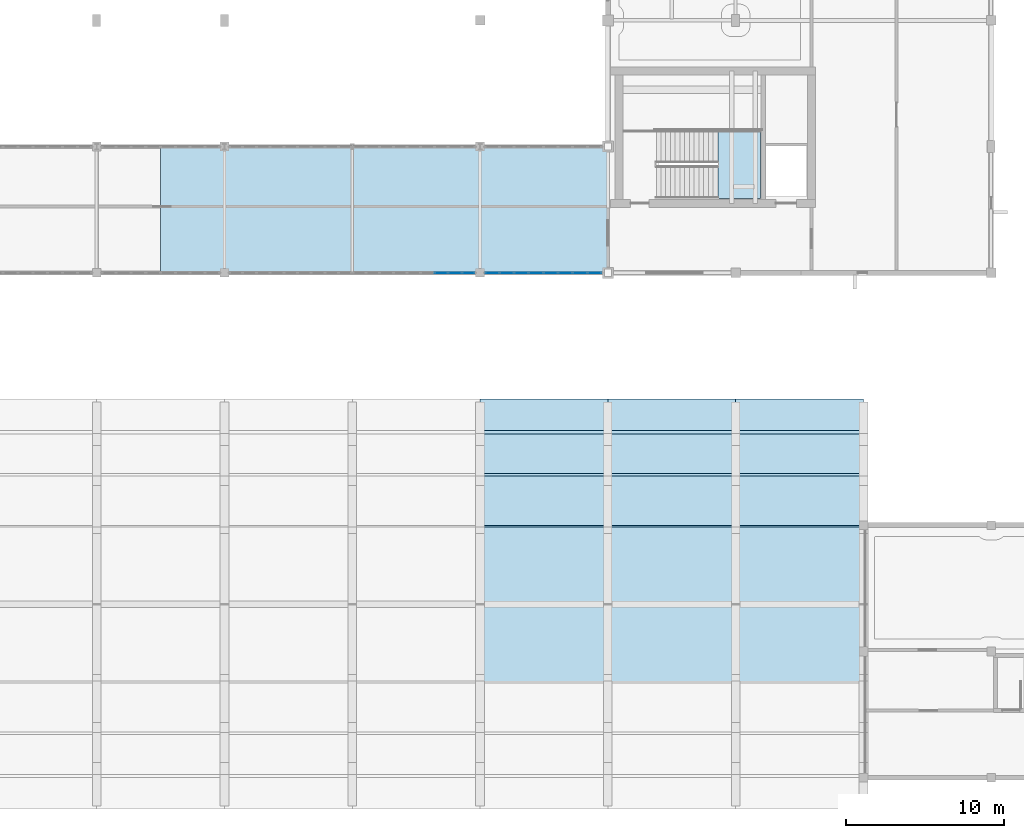
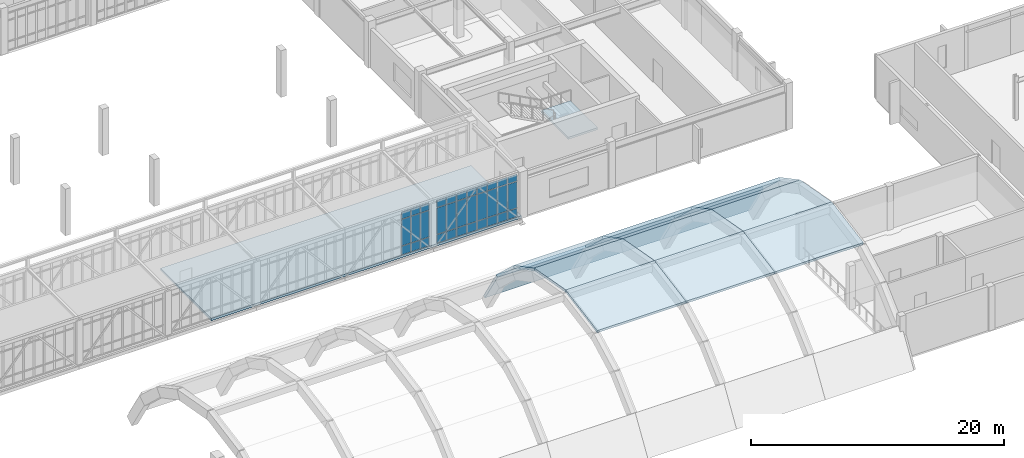
# One storey, part 38 of 67: 33 plates, 17 slabs, 3 elements without a shape of their own.
"""IFC4 building model written with IfcOpenShell, lengths in metres."""

from ifc_helpers import new_model, si_unit, direction, frame, origin, origin_2d, place, context, subcontext, project, spatial, polyline, rectangle, outline, extrude, material, layer, layer_set, type_object, element, aggregate, save


model = new_model("IFC4")

# Units and contexts
model_context = context("Model", 3, precision=1e-05, world=origin(), true_north=direction((0.0, 1.0)))
body_context = subcontext(model_context, "Body", "Model", "MODEL_VIEW")
ifc_project = project(units=[si_unit("LENGTHUNIT", "METRE"), si_unit("AREAUNIT", "SQUARE_METRE"), si_unit("VOLUMEUNIT", "CUBIC_METRE"), si_unit("PLANEANGLEUNIT", "RADIAN"), si_unit("MASSUNIT", "GRAM", prefix="KILO")], contexts=[model_context])

# Site, building, storey
site_placement = place(None, origin())
site = spatial("IfcSite", under=ifc_project, at=site_placement, CompositionType="ELEMENT")
building_placement = place(site_placement, origin())
building = spatial("IfcBuilding", under=site, at=building_placement, Name="Tarnveldt Square Police Headquarters", CompositionType="ELEMENT")
storey_placement = place(building_placement, frame((0.0, 0.0, 10.199951171875)))
storey = spatial("IfcBuildingStorey", under=building, at=storey_placement, Name="L02", CompositionType="ELEMENT", Elevation=10.199951171875)

# Curtain wall, plates
ifc_material_1 = material(Name="Triple-glazed low-e laminated vision glass", Category="glass")
curtain_wall_type_1 = type_object("IfcCurtainWallType", Name="CW-SB-781x424", PredefinedType="USERDEFINED", material=ifc_material_1)
curtain_wall_1_placement = place(storey_placement, origin())
curtain_wall_1 = element("IfcCurtainWall", 1, at=curtain_wall_1_placement, inside=storey, type_object=curtain_wall_type_1, Name="L02 Curtain Wall CW-L02-143", ObjectType="GLAZED CURTAIN WALL", PredefinedType="USERDEFINED")
ifc_layer_1 = layer(ifc_material_1, 0.028076171875)
ifc_layer_set_1 = layer_set([ifc_layer_1], Name="Triple-glazed low-e laminated vision glass")
plate_type = type_object("IfcPlateType", Name="CWP-VIS-28", PredefinedType="CURTAIN_PANEL", material=ifc_layer_set_1)
plate_1_placement = place(storey_placement, frame((94.740478515625, 56.0, 0.06494140625), z_axis=(0.0, 0.0, 1.0), x_axis=(1.0, 0.0, 0.0)))
plate_1 = element("IfcPlate", 2, at=plate_1_placement, type_object=plate_type, Name="CW-SB87 panel 7.1", PredefinedType="CURTAIN_PANEL", context=body_context, shape_type="SweptSolid", body=[
    extrude(rectangle(XDim=0.802734375, YDim=0.028076171875, at=origin_2d()), origin(), (0.0, 0.0, 1.0), 0.802490234375),
])
plate_2_placement = place(storey_placement, frame((94.740478515625, 56.0, 0.9326171875), z_axis=(0.0, 0.0, 1.0), x_axis=(1.0, 0.0, 0.0)))
plate_2 = element("IfcPlate", 3, at=plate_2_placement, type_object=plate_type, Name="CW-SB87 panel 7.2", PredefinedType="CURTAIN_PANEL", context=body_context, shape_type="SweptSolid", body=[
    extrude(rectangle(XDim=0.802734375, YDim=0.028076171875, at=origin_2d()), origin(), (0.0, 0.0, 1.0), 2.52490234375),
])
plate_3_placement = place(storey_placement, frame((94.740478515625, 56.0, 3.5224609375), z_axis=(0.0, 0.0, 1.0), x_axis=(1.0, 0.0, 0.0)))
plate_3 = element("IfcPlate", 4, at=plate_3_placement, type_object=plate_type, Name="CW-SB87 panel 7.3", PredefinedType="CURTAIN_PANEL", context=body_context, shape_type="SweptSolid", body=[
    extrude(rectangle(XDim=0.802734375, YDim=0.028076171875, at=origin_2d()), origin(), (0.0, 0.0, 1.0), 0.652587890625),
])
plate_4_placement = place(storey_placement, frame((95.6083984375, 56.0, 0.06494140625), z_axis=(0.0, 0.0, 1.0), x_axis=(1.0, 0.0, 0.0)))
plate_4 = element("IfcPlate", 5, at=plate_4_placement, type_object=plate_type, Name="CW-SB87 panel 8.1", PredefinedType="CURTAIN_PANEL", context=body_context, shape_type="SweptSolid", body=[
    extrude(rectangle(XDim=0.802734375, YDim=0.028076171875, at=origin_2d()), origin(), (0.0, 0.0, 1.0), 0.802490234375),
])
plate_5_placement = place(storey_placement, frame((95.6083984375, 56.0, 0.9326171875), z_axis=(0.0, 0.0, 1.0), x_axis=(1.0, 0.0, 0.0)))
plate_5 = element("IfcPlate", 6, at=plate_5_placement, type_object=plate_type, Name="CW-SB87 panel 8.2", PredefinedType="CURTAIN_PANEL", context=body_context, shape_type="SweptSolid", body=[
    extrude(rectangle(XDim=0.802734375, YDim=0.028076171875, at=origin_2d()), origin(), (0.0, 0.0, 1.0), 2.52490234375),
])
plate_6_placement = place(storey_placement, frame((95.6083984375, 56.0, 3.5224609375), z_axis=(0.0, 0.0, 1.0), x_axis=(1.0, 0.0, 0.0)))
plate_6 = element("IfcPlate", 7, at=plate_6_placement, type_object=plate_type, Name="CW-SB87 panel 8.3", PredefinedType="CURTAIN_PANEL", context=body_context, shape_type="SweptSolid", body=[
    extrude(rectangle(XDim=0.802734375, YDim=0.028076171875, at=origin_2d()), origin(), (0.0, 0.0, 1.0), 0.652587890625),
])
plate_7_placement = place(storey_placement, frame((96.4599609375, 56.0, 0.06494140625), z_axis=(0.0, 0.0, 1.0), x_axis=(1.0, 0.0, 0.0)))
plate_7 = element("IfcPlate", 8, at=plate_7_placement, type_object=plate_type, Name="CW-SB87 panel 9.1", PredefinedType="CURTAIN_PANEL", context=body_context, shape_type="SweptSolid", body=[
    extrude(rectangle(XDim=0.770263671875, YDim=0.028076171875, at=origin_2d()), origin(), (0.0, 0.0, 1.0), 0.802490234375),
])
plate_8_placement = place(storey_placement, frame((96.4599609375, 56.0, 0.9326171875), z_axis=(0.0, 0.0, 1.0), x_axis=(1.0, 0.0, 0.0)))
plate_8 = element("IfcPlate", 9, at=plate_8_placement, type_object=plate_type, Name="CW-SB87 panel 9.2", PredefinedType="CURTAIN_PANEL", context=body_context, shape_type="SweptSolid", body=[
    extrude(rectangle(XDim=0.770263671875, YDim=0.028076171875, at=origin_2d()), origin(), (0.0, 0.0, 1.0), 2.52490234375),
])
plate_9_placement = place(storey_placement, frame((96.4599609375, 56.0, 3.5224609375), z_axis=(0.0, 0.0, 1.0), x_axis=(1.0, 0.0, 0.0)))
plate_9 = element("IfcPlate", 10, at=plate_9_placement, type_object=plate_type, Name="CW-SB87 panel 9.3", PredefinedType="CURTAIN_PANEL", context=body_context, shape_type="SweptSolid", body=[
    extrude(rectangle(XDim=0.770263671875, YDim=0.028076171875, at=origin_2d()), origin(), (0.0, 0.0, 1.0), 0.652587890625),
])
aggregate(curtain_wall_1, [plate_1, plate_2, plate_3, plate_4, plate_5, plate_6, plate_7, plate_8, plate_9])

curtain_wall_type_2 = type_object("IfcCurtainWallType", Name="CW-SB-745x424", PredefinedType="USERDEFINED", material=ifc_material_1)
curtain_wall_2_placement = place(storey_placement, origin())
curtain_wall_2 = element("IfcCurtainWall", 11, at=curtain_wall_2_placement, inside=storey, type_object=curtain_wall_type_2, Name="L02 Curtain Wall CW-L02-144", ObjectType="GLAZED CURTAIN WALL", PredefinedType="USERDEFINED")
plate_10_placement = place(storey_placement, frame((97.9716796875, 56.0, 0.06494140625), z_axis=(0.0, 0.0, 1.0), x_axis=(1.0, 0.0, 0.0)))
plate_10 = element("IfcPlate", 12, at=plate_10_placement, type_object=plate_type, Name="CW-SB88 panel 1.1", PredefinedType="CURTAIN_PANEL", context=body_context, shape_type="SweptSolid", body=[
    extrude(rectangle(XDim=0.8330078125, YDim=0.028076171875, at=origin_2d()), origin(), (0.0, 0.0, 1.0), 0.802490234375),
])
plate_11_placement = place(storey_placement, frame((97.9716796875, 56.0, 0.9326171875), z_axis=(0.0, 0.0, 1.0), x_axis=(1.0, 0.0, 0.0)))
plate_11 = element("IfcPlate", 13, at=plate_11_placement, type_object=plate_type, Name="CW-SB88 panel 1.2", PredefinedType="CURTAIN_PANEL", context=body_context, shape_type="SweptSolid", body=[
    extrude(rectangle(XDim=0.8330078125, YDim=0.028076171875, at=origin_2d()), origin(), (0.0, 0.0, 1.0), 2.52490234375),
])
plate_12_placement = place(storey_placement, frame((97.9716796875, 56.0, 3.5224609375), z_axis=(0.0, 0.0, 1.0), x_axis=(1.0, 0.0, 0.0)))
plate_12 = element("IfcPlate", 14, at=plate_12_placement, type_object=plate_type, Name="CW-SB88 panel 1.3", PredefinedType="CURTAIN_PANEL", context=body_context, shape_type="SweptSolid", body=[
    extrude(rectangle(XDim=0.8330078125, YDim=0.028076171875, at=origin_2d()), origin(), (0.0, 0.0, 1.0), 0.652587890625),
])
plate_13_placement = place(storey_placement, frame((98.885986328125, 56.0, 0.06494140625), z_axis=(0.0, 0.0, 1.0), x_axis=(1.0, 0.0, 0.0)))
plate_13 = element("IfcPlate", 15, at=plate_13_placement, type_object=plate_type, Name="CW-SB88 panel 2.1", PredefinedType="CURTAIN_PANEL", context=body_context, shape_type="SweptSolid", body=[
    extrude(rectangle(XDim=0.86572265625, YDim=0.028076171875, at=origin_2d()), origin(), (0.0, 0.0, 1.0), 0.802490234375),
])
plate_14_placement = place(storey_placement, frame((98.885986328125, 56.0, 0.9326171875), z_axis=(0.0, 0.0, 1.0), x_axis=(1.0, 0.0, 0.0)))
plate_14 = element("IfcPlate", 16, at=plate_14_placement, type_object=plate_type, Name="CW-SB88 panel 2.2", PredefinedType="CURTAIN_PANEL", context=body_context, shape_type="SweptSolid", body=[
    extrude(rectangle(XDim=0.86572265625, YDim=0.028076171875, at=origin_2d()), origin(), (0.0, 0.0, 1.0), 2.52490234375),
])
plate_15_placement = place(storey_placement, frame((98.885986328125, 56.0, 3.5224609375), z_axis=(0.0, 0.0, 1.0), x_axis=(1.0, 0.0, 0.0)))
plate_15 = element("IfcPlate", 17, at=plate_15_placement, type_object=plate_type, Name="CW-SB88 panel 2.3", PredefinedType="CURTAIN_PANEL", context=body_context, shape_type="SweptSolid", body=[
    extrude(rectangle(XDim=0.86572265625, YDim=0.028076171875, at=origin_2d()), origin(), (0.0, 0.0, 1.0), 0.652587890625),
])
plate_16_placement = place(storey_placement, frame((99.816650390625, 56.0, 0.06494140625), z_axis=(0.0, 0.0, 1.0), x_axis=(1.0, 0.0, 0.0)))
plate_16 = element("IfcPlate", 18, at=plate_16_placement, type_object=plate_type, Name="CW-SB88 panel 3.1", PredefinedType="CURTAIN_PANEL", context=body_context, shape_type="SweptSolid", body=[
    extrude(rectangle(XDim=0.86572265625, YDim=0.028076171875, at=origin_2d()), origin(), (0.0, 0.0, 1.0), 0.802490234375),
])
plate_17_placement = place(storey_placement, frame((99.816650390625, 56.0, 0.9326171875), z_axis=(0.0, 0.0, 1.0), x_axis=(1.0, 0.0, 0.0)))
plate_17 = element("IfcPlate", 19, at=plate_17_placement, type_object=plate_type, Name="CW-SB88 panel 3.2", PredefinedType="CURTAIN_PANEL", context=body_context, shape_type="SweptSolid", body=[
    extrude(rectangle(XDim=0.86572265625, YDim=0.028076171875, at=origin_2d()), origin(), (0.0, 0.0, 1.0), 2.52490234375),
])
plate_18_placement = place(storey_placement, frame((99.816650390625, 56.0, 3.5224609375), z_axis=(0.0, 0.0, 1.0), x_axis=(1.0, 0.0, 0.0)))
plate_18 = element("IfcPlate", 20, at=plate_18_placement, type_object=plate_type, Name="CW-SB88 panel 3.3", PredefinedType="CURTAIN_PANEL", context=body_context, shape_type="SweptSolid", body=[
    extrude(rectangle(XDim=0.86572265625, YDim=0.028076171875, at=origin_2d()), origin(), (0.0, 0.0, 1.0), 0.652587890625),
])
plate_19_placement = place(storey_placement, frame((100.7470703125, 56.0, 0.06494140625), z_axis=(0.0, 0.0, 1.0), x_axis=(1.0, 0.0, 0.0)))
plate_19 = element("IfcPlate", 21, at=plate_19_placement, type_object=plate_type, Name="CW-SB88 panel 4.1", PredefinedType="CURTAIN_PANEL", context=body_context, shape_type="SweptSolid", body=[
    extrude(rectangle(XDim=0.86572265625, YDim=0.028076171875, at=origin_2d()), origin(), (0.0, 0.0, 1.0), 0.802490234375),
])
plate_20_placement = place(storey_placement, frame((100.7470703125, 56.0, 0.9326171875), z_axis=(0.0, 0.0, 1.0), x_axis=(1.0, 0.0, 0.0)))
plate_20 = element("IfcPlate", 22, at=plate_20_placement, type_object=plate_type, Name="CW-SB88 panel 4.2", PredefinedType="CURTAIN_PANEL", context=body_context, shape_type="SweptSolid", body=[
    extrude(rectangle(XDim=0.86572265625, YDim=0.028076171875, at=origin_2d()), origin(), (0.0, 0.0, 1.0), 2.52490234375),
])
plate_21_placement = place(storey_placement, frame((100.7470703125, 56.0, 3.5224609375), z_axis=(0.0, 0.0, 1.0), x_axis=(1.0, 0.0, 0.0)))
plate_21 = element("IfcPlate", 23, at=plate_21_placement, type_object=plate_type, Name="CW-SB88 panel 4.3", PredefinedType="CURTAIN_PANEL", context=body_context, shape_type="SweptSolid", body=[
    extrude(rectangle(XDim=0.86572265625, YDim=0.028076171875, at=origin_2d()), origin(), (0.0, 0.0, 1.0), 0.652587890625),
])
plate_22_placement = place(storey_placement, frame((101.677734375, 56.0, 0.06494140625), z_axis=(0.0, 0.0, 1.0), x_axis=(1.0, 0.0, 0.0)))
plate_22 = element("IfcPlate", 24, at=plate_22_placement, type_object=plate_type, Name="CW-SB88 panel 5.1", PredefinedType="CURTAIN_PANEL", context=body_context, shape_type="SweptSolid", body=[
    extrude(rectangle(XDim=0.86572265625, YDim=0.028076171875, at=origin_2d()), origin(), (0.0, 0.0, 1.0), 0.802490234375),
])
plate_23_placement = place(storey_placement, frame((101.677734375, 56.0, 0.9326171875), z_axis=(0.0, 0.0, 1.0), x_axis=(1.0, 0.0, 0.0)))
plate_23 = element("IfcPlate", 25, at=plate_23_placement, type_object=plate_type, Name="CW-SB88 panel 5.2", PredefinedType="CURTAIN_PANEL", context=body_context, shape_type="SweptSolid", body=[
    extrude(rectangle(XDim=0.86572265625, YDim=0.028076171875, at=origin_2d()), origin(), (0.0, 0.0, 1.0), 2.52490234375),
])
plate_24_placement = place(storey_placement, frame((101.677734375, 56.0, 3.5224609375), z_axis=(0.0, 0.0, 1.0), x_axis=(1.0, 0.0, 0.0)))
plate_24 = element("IfcPlate", 26, at=plate_24_placement, type_object=plate_type, Name="CW-SB88 panel 5.3", PredefinedType="CURTAIN_PANEL", context=body_context, shape_type="SweptSolid", body=[
    extrude(rectangle(XDim=0.86572265625, YDim=0.028076171875, at=origin_2d()), origin(), (0.0, 0.0, 1.0), 0.652587890625),
])
plate_25_placement = place(storey_placement, frame((102.6083984375, 56.0, 0.06494140625), z_axis=(0.0, 0.0, 1.0), x_axis=(1.0, 0.0, 0.0)))
plate_25 = element("IfcPlate", 27, at=plate_25_placement, type_object=plate_type, Name="CW-SB88 panel 6.1", PredefinedType="CURTAIN_PANEL", context=body_context, shape_type="SweptSolid", body=[
    extrude(rectangle(XDim=0.86572265625, YDim=0.028076171875, at=origin_2d()), origin(), (0.0, 0.0, 1.0), 0.802490234375),
])
plate_26_placement = place(storey_placement, frame((102.6083984375, 56.0, 0.9326171875), z_axis=(0.0, 0.0, 1.0), x_axis=(1.0, 0.0, 0.0)))
plate_26 = element("IfcPlate", 28, at=plate_26_placement, type_object=plate_type, Name="CW-SB88 panel 6.2", PredefinedType="CURTAIN_PANEL", context=body_context, shape_type="SweptSolid", body=[
    extrude(rectangle(XDim=0.86572265625, YDim=0.028076171875, at=origin_2d()), origin(), (0.0, 0.0, 1.0), 2.52490234375),
])
plate_27_placement = place(storey_placement, frame((102.6083984375, 56.0, 3.5224609375), z_axis=(0.0, 0.0, 1.0), x_axis=(1.0, 0.0, 0.0)))
plate_27 = element("IfcPlate", 29, at=plate_27_placement, type_object=plate_type, Name="CW-SB88 panel 6.3", PredefinedType="CURTAIN_PANEL", context=body_context, shape_type="SweptSolid", body=[
    extrude(rectangle(XDim=0.86572265625, YDim=0.028076171875, at=origin_2d()), origin(), (0.0, 0.0, 1.0), 0.652587890625),
])
plate_28_placement = place(storey_placement, frame((103.5390625, 56.0, 0.06494140625), z_axis=(0.0, 0.0, 1.0), x_axis=(1.0, 0.0, 0.0)))
plate_28 = element("IfcPlate", 30, at=plate_28_placement, type_object=plate_type, Name="CW-SB88 panel 7.1", PredefinedType="CURTAIN_PANEL", context=body_context, shape_type="SweptSolid", body=[
    extrude(rectangle(XDim=0.86572265625, YDim=0.028076171875, at=origin_2d()), origin(), (0.0, 0.0, 1.0), 0.802490234375),
])
plate_29_placement = place(storey_placement, frame((103.5390625, 56.0, 0.9326171875), z_axis=(0.0, 0.0, 1.0), x_axis=(1.0, 0.0, 0.0)))
plate_29 = element("IfcPlate", 31, at=plate_29_placement, type_object=plate_type, Name="CW-SB88 panel 7.2", PredefinedType="CURTAIN_PANEL", context=body_context, shape_type="SweptSolid", body=[
    extrude(rectangle(XDim=0.86572265625, YDim=0.028076171875, at=origin_2d()), origin(), (0.0, 0.0, 1.0), 2.52490234375),
])
plate_30_placement = place(storey_placement, frame((103.5390625, 56.0, 3.5224609375), z_axis=(0.0, 0.0, 1.0), x_axis=(1.0, 0.0, 0.0)))
plate_30 = element("IfcPlate", 32, at=plate_30_placement, type_object=plate_type, Name="CW-SB88 panel 7.3", PredefinedType="CURTAIN_PANEL", context=body_context, shape_type="SweptSolid", body=[
    extrude(rectangle(XDim=0.86572265625, YDim=0.028076171875, at=origin_2d()), origin(), (0.0, 0.0, 1.0), 0.652587890625),
])
plate_31_placement = place(storey_placement, frame((104.453369140625, 56.0, 0.06494140625), z_axis=(0.0, 0.0, 1.0), x_axis=(1.0, 0.0, 0.0)))
plate_31 = element("IfcPlate", 33, at=plate_31_placement, type_object=plate_type, Name="CW-SB88 panel 8.1", PredefinedType="CURTAIN_PANEL", context=body_context, shape_type="SweptSolid", body=[
    extrude(rectangle(XDim=0.8330078125, YDim=0.028076171875, at=origin_2d()), origin(), (0.0, 0.0, 1.0), 0.802490234375),
])
plate_32_placement = place(storey_placement, frame((104.453369140625, 56.0, 0.9326171875), z_axis=(0.0, 0.0, 1.0), x_axis=(1.0, 0.0, 0.0)))
plate_32 = element("IfcPlate", 34, at=plate_32_placement, type_object=plate_type, Name="CW-SB88 panel 8.2", PredefinedType="CURTAIN_PANEL", context=body_context, shape_type="SweptSolid", body=[
    extrude(rectangle(XDim=0.8330078125, YDim=0.028076171875, at=origin_2d()), origin(), (0.0, 0.0, 1.0), 2.52490234375),
])
plate_33_placement = place(storey_placement, frame((104.453369140625, 56.0, 3.5224609375), z_axis=(0.0, 0.0, 1.0), x_axis=(1.0, 0.0, 0.0)))
plate_33 = element("IfcPlate", 35, at=plate_33_placement, type_object=plate_type, Name="CW-SB88 panel 8.3", PredefinedType="CURTAIN_PANEL", context=body_context, shape_type="SweptSolid", body=[
    extrude(rectangle(XDim=0.8330078125, YDim=0.028076171875, at=origin_2d()), origin(), (0.0, 0.0, 1.0), 0.652587890625),
])
aggregate(curtain_wall_2, [plate_10, plate_11, plate_12, plate_13, plate_14, plate_15, plate_16, plate_17, plate_18, plate_19, plate_20, plate_21, plate_22, plate_23, plate_24, plate_25, plate_26, plate_27, plate_28, plate_29, plate_30, plate_31, plate_32, plate_33])

# Stair, slab
ifc_material_2 = material(Name="Concrete 40 MPa", Category="concrete")
stair_type = type_object("IfcStairType", Name="STR-HT-48B", PredefinedType="HALF_TURN_STAIR", material=ifc_material_2)
stair_placement = place(storey_placement, origin())
stair = element("IfcStair", 36, at=stair_placement, inside=storey, type_object=stair_type, Name="L02 Core K4 Exit Stair ST4", PredefinedType="HALF_TURN_STAIR")
ifc_layer_2 = layer(ifc_material_2, 0.179931640625)
ifc_layer_set_2 = layer_set([ifc_layer_2], Name="Concrete 40 MPa")
slab_type_1 = type_object("IfcSlabType", Name="SL-LND-180", PredefinedType="LANDING", material=ifc_layer_set_2)
slab_1_placement = place(storey_placement, frame((0.0, 0.0, 2.050048828125)))
slab_1 = element("IfcSlab", 37, at=slab_1_placement, type_object=slab_type_1, Name="ST4 landing 1", PredefinedType="LANDING", context=body_context, shape_type="SweptSolid", body=[
    extrude(outline(polyline([(112.27001953125, 60.719970703125), (114.969970703125, 60.719970703125), (114.969970703125, 65.02001953125), (112.27001953125, 65.02001953125), (112.27001953125, 60.719970703125)])), origin(), (0.0, 0.0, 1.0), 0.199951171875),
])
aggregate(stair, [slab_1])

# Slabs
ifc_layer_3 = layer(ifc_material_2, 0.219970703125)
ifc_layer_set_3 = layer_set([ifc_layer_3], Name="Concrete 40 MPa")
slab_type_2 = type_object("IfcSlabType", Name="SL-SKY-220", PredefinedType="FLOOR", material=ifc_layer_set_3)
slab_2_placement = place(storey_placement, frame((0.0, 0.0, -0.219970703125)))
element("IfcSlab", 38, at=slab_2_placement, inside=storey, type_object=slab_type_2, Name="L02 Structural Floor Slab L02-SBS-2", PredefinedType="FLOOR", context=body_context, shape_type="SweptSolid", body=[
    extrude(outline(polyline([(105.300048828125, 64.0), (105.300048828125, 56.0), (76.949951171875, 56.0), (76.949951171875, 64.0), (105.300048828125, 64.0)])), origin(), (0.0, 0.0, 1.0), 0.219970703125),
])
ifc_layer_4 = layer(ifc_material_2, 0.25)
ifc_layer_set_4 = layer_set([ifc_layer_4], Name="Concrete 40 MPa")
slab_type_3 = type_object("IfcSlabType", Name="SL-VAULT-250", PredefinedType="ROOF", material=ifc_layer_set_4)
for number, where, z_axis, x_axis, name in (
    (39, (97.199951171875, 30.006103515625, 7.4970703125), (0.0, -0.177949762031, 0.984039573489), (1.0, 0.0, 0.0), "Public Entrance Hall Barrel Vault Roof Shell B5.F4"),
    (40, (97.199951171875, 35.0, 8.400146484375), (0.0, 0.177949762031, 0.984039573489), (1.0, 0.0, 0.0), "Public Entrance Hall Barrel Vault Roof Shell B5.F5"),
):
    element("IfcSlab", number, at=place(storey_placement, frame(where, z_axis=z_axis, x_axis=x_axis)), inside=storey, type_object=slab_type_3, Name=name, PredefinedType="ROOF", context=body_context, shape_type="SweptSolid", body=[
        extrude(outline(polyline([(0.0, 0.0), (8.10009765625, 0.0), (8.10009765625, 5.074893956415384), (0.0, 5.074893956415384), (0.0, 0.0)])), origin(), (0.0, 0.0, -1.0), 0.25),
    ])
slab_3_placement = place(storey_placement, frame((97.199951171875, 39.993896484375, 7.4970703125), z_axis=(0.0, 0.469478088811, 0.882944122879), x_axis=(1.0, 0.0, 0.0)))
element("IfcSlab", 41, at=slab_3_placement, inside=storey, type_object=slab_type_3, Name="Public Entrance Hall Barrel Vault Roof Shell B5.F6", PredefinedType="ROOF", context=body_context, shape_type="SweptSolid", body=[
    extrude(outline(polyline([(0.0, 0.0), (8.10009765625, 0.0), (8.10009765625, 3.722343247535338), (0.0, 3.722343247535338), (0.0, 0.0)])), origin(), (0.0, 0.0, -1.0), 0.25),
])
slab_4_placement = place(storey_placement, frame((97.199951171875, 43.280517578125, 5.74951171875), z_axis=(0.0, 0.682016751345, 0.731336551038), x_axis=(1.0, 0.0, 0.0)))
element("IfcSlab", 42, at=slab_4_placement, inside=storey, type_object=slab_type_3, Name="Public Entrance Hall Barrel Vault Roof Shell B5.F7", PredefinedType="ROOF", context=body_context, shape_type="SweptSolid", body=[
    extrude(outline(polyline([(0.0, 0.0), (8.10009765625, 0.0), (8.10009765625, 3.7225161322915987), (0.0, 3.7225161322915987), (0.0, 0.0)])), origin(), (0.0, 0.0, -1.0), 0.25),
])
slab_5_placement = place(storey_placement, frame((97.199951171875, 46.0029296875, 3.210693359375), z_axis=(0.0, 0.849138976196, 0.528169479529), x_axis=(1.0, 0.0, 0.0)))
element("IfcSlab", 43, at=slab_5_placement, inside=storey, type_object=slab_type_3, Name="Public Entrance Hall Barrel Vault Roof Shell B5.F8", PredefinedType="ROOF", context=body_context, shape_type="SweptSolid", body=[
    extrude(outline(polyline([(0.0, 0.0), (8.10009765625, 0.0), (8.10009765625, 3.781116459592797), (0.0, 3.781116459592797), (0.0, 0.0)])), origin(), (0.0, 0.0, -1.0), 0.25),
])
for number, where, z_axis, x_axis, name in (
    (44, (105.300048828125, 30.006103515625, 7.4970703125), (0.0, -0.177949762031, 0.984039573489), (1.0, 0.0, 0.0), "Public Entrance Hall Barrel Vault Roof Shell B6.F4"),
    (45, (105.300048828125, 35.0, 8.400146484375), (0.0, 0.177949762031, 0.984039573489), (1.0, 0.0, 0.0), "Public Entrance Hall Barrel Vault Roof Shell B6.F5"),
):
    element("IfcSlab", number, at=place(storey_placement, frame(where, z_axis=z_axis, x_axis=x_axis)), inside=storey, type_object=slab_type_3, Name=name, PredefinedType="ROOF", context=body_context, shape_type="SweptSolid", body=[
        extrude(outline(polyline([(0.0, 0.0), (8.099853515625, 0.0), (8.099853515625, 5.074893956415384), (0.0, 5.074893956415384), (0.0, 0.0)])), origin(), (0.0, 0.0, -1.0), 0.25),
    ])
slab_6_placement = place(storey_placement, frame((105.300048828125, 39.993896484375, 7.4970703125), z_axis=(0.0, 0.469478088811, 0.882944122879), x_axis=(1.0, 0.0, 0.0)))
element("IfcSlab", 46, at=slab_6_placement, inside=storey, type_object=slab_type_3, Name="Public Entrance Hall Barrel Vault Roof Shell B6.F6", PredefinedType="ROOF", context=body_context, shape_type="SweptSolid", body=[
    extrude(outline(polyline([(0.0, 0.0), (8.099853515625, 0.0), (8.099853515625, 3.722343247535338), (0.0, 3.722343247535338), (0.0, 0.0)])), origin(), (0.0, 0.0, -1.0), 0.25),
])
slab_7_placement = place(storey_placement, frame((105.300048828125, 43.280517578125, 5.74951171875), z_axis=(0.0, 0.682016751345, 0.731336551038), x_axis=(1.0, 0.0, 0.0)))
element("IfcSlab", 47, at=slab_7_placement, inside=storey, type_object=slab_type_3, Name="Public Entrance Hall Barrel Vault Roof Shell B6.F7", PredefinedType="ROOF", context=body_context, shape_type="SweptSolid", body=[
    extrude(outline(polyline([(0.0, 0.0), (8.099853515625, 0.0), (8.099853515625, 3.7225161322915987), (0.0, 3.7225161322915987), (0.0, 0.0)])), origin(), (0.0, 0.0, -1.0), 0.25),
])
slab_8_placement = place(storey_placement, frame((105.300048828125, 46.0029296875, 3.210693359375), z_axis=(0.0, 0.849138976196, 0.528169479529), x_axis=(1.0, 0.0, 0.0)))
element("IfcSlab", 48, at=slab_8_placement, inside=storey, type_object=slab_type_3, Name="Public Entrance Hall Barrel Vault Roof Shell B6.F8", PredefinedType="ROOF", context=body_context, shape_type="SweptSolid", body=[
    extrude(outline(polyline([(0.0, 0.0), (8.099853515625, 0.0), (8.099853515625, 3.781116459592797), (0.0, 3.781116459592797), (0.0, 0.0)])), origin(), (0.0, 0.0, -1.0), 0.25),
])
for number, where, z_axis, x_axis, name in (
    (49, (113.39990234375, 30.006103515625, 7.4970703125), (0.0, -0.177949762031, 0.984039573489), (1.0, 0.0, 0.0), "Public Entrance Hall Barrel Vault Roof Shell B7.F4"),
    (50, (113.39990234375, 35.0, 8.400146484375), (0.0, 0.177949762031, 0.984039573489), (1.0, 0.0, 0.0), "Public Entrance Hall Barrel Vault Roof Shell B7.F5"),
):
    element("IfcSlab", number, at=place(storey_placement, frame(where, z_axis=z_axis, x_axis=x_axis)), inside=storey, type_object=slab_type_3, Name=name, PredefinedType="ROOF", context=body_context, shape_type="SweptSolid", body=[
        extrude(outline(polyline([(0.0, 0.0), (8.10009765625, 0.0), (8.10009765625, 5.074893956415384), (0.0, 5.074893956415384), (0.0, 0.0)])), origin(), (0.0, 0.0, -1.0), 0.25),
    ])
slab_9_placement = place(storey_placement, frame((113.39990234375, 39.993896484375, 7.4970703125), z_axis=(0.0, 0.469478088811, 0.882944122879), x_axis=(1.0, 0.0, 0.0)))
element("IfcSlab", 51, at=slab_9_placement, inside=storey, type_object=slab_type_3, Name="Public Entrance Hall Barrel Vault Roof Shell B7.F6", PredefinedType="ROOF", context=body_context, shape_type="SweptSolid", body=[
    extrude(outline(polyline([(0.0, 0.0), (8.10009765625, 0.0), (8.10009765625, 3.722343247535338), (0.0, 3.722343247535338), (0.0, 0.0)])), origin(), (0.0, 0.0, -1.0), 0.25),
])
slab_10_placement = place(storey_placement, frame((113.39990234375, 43.280517578125, 5.74951171875), z_axis=(0.0, 0.682016751345, 0.731336551038), x_axis=(1.0, 0.0, 0.0)))
element("IfcSlab", 52, at=slab_10_placement, inside=storey, type_object=slab_type_3, Name="Public Entrance Hall Barrel Vault Roof Shell B7.F7", PredefinedType="ROOF", context=body_context, shape_type="SweptSolid", body=[
    extrude(outline(polyline([(0.0, 0.0), (8.10009765625, 0.0), (8.10009765625, 3.7225161322915987), (0.0, 3.7225161322915987), (0.0, 0.0)])), origin(), (0.0, 0.0, -1.0), 0.25),
])
slab_11_placement = place(storey_placement, frame((113.39990234375, 46.0029296875, 3.210693359375), z_axis=(0.0, 0.849138976196, 0.528169479529), x_axis=(1.0, 0.0, 0.0)))
element("IfcSlab", 53, at=slab_11_placement, inside=storey, type_object=slab_type_3, Name="Public Entrance Hall Barrel Vault Roof Shell B7.F8", PredefinedType="ROOF", context=body_context, shape_type="SweptSolid", body=[
    extrude(outline(polyline([(0.0, 0.0), (8.10009765625, 0.0), (8.10009765625, 3.781116459592797), (0.0, 3.781116459592797), (0.0, 0.0)])), origin(), (0.0, 0.0, -1.0), 0.25),
])

save(model, "model.ifc")
